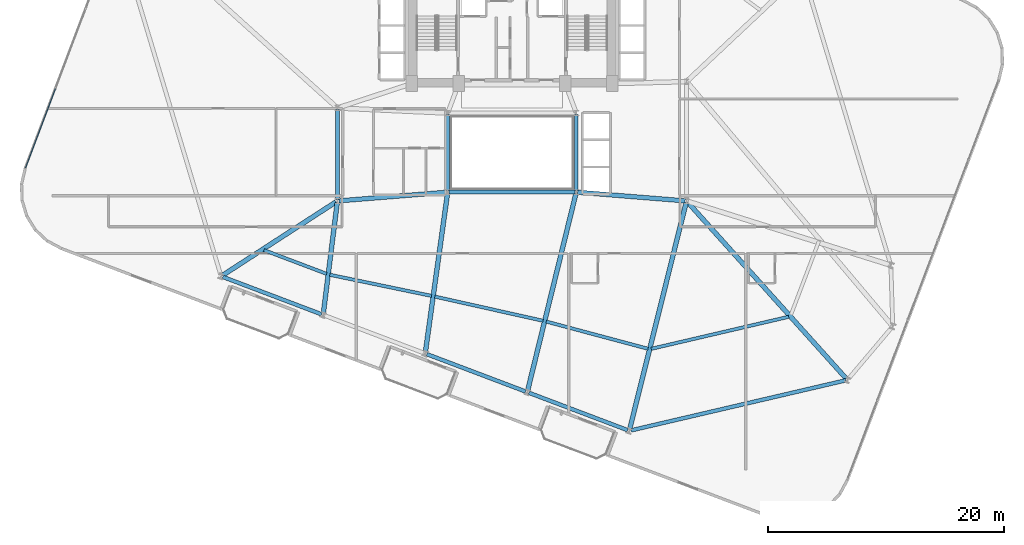
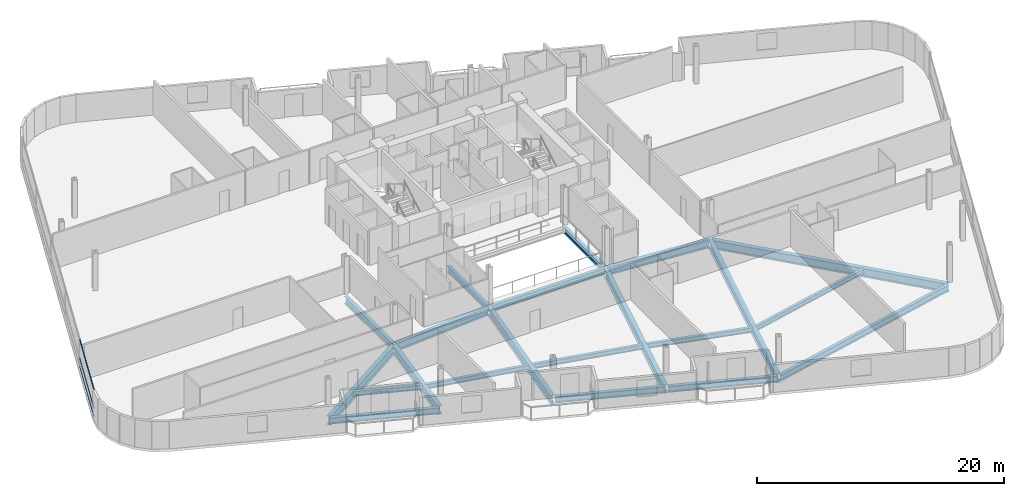
# One storey, part 3 of 24: 21 beams, 3 members, 1 element without a shape of its own.
"""IFC4 building model written with IfcOpenShell, lengths in metres."""

from ifc_helpers import new_model, si_unit, direction, frame, origin, origin_2d, place, context, subcontext, project, spatial, hollow_rectangle, i_section, extrude, material, layer, layer_set, material_profile, profile_set, type_object, element, aggregate, save


model = new_model("IFC4")

# Units and contexts
model_context = context("Model", 3, precision=1e-05, world=origin(), true_north=direction((0.0, 1.0)))
body_context = subcontext(model_context, "Body", "Model", "MODEL_VIEW")
ifc_project = project(units=[si_unit("LENGTHUNIT", "METRE"), si_unit("AREAUNIT", "SQUARE_METRE"), si_unit("VOLUMEUNIT", "CUBIC_METRE"), si_unit("PLANEANGLEUNIT", "RADIAN"), si_unit("MASSUNIT", "GRAM", prefix="KILO")], contexts=[model_context])

# Site, building, storey
site_placement = place(None, origin())
site = spatial("IfcSite", under=ifc_project, at=site_placement, CompositionType="ELEMENT")
building_placement = place(site_placement, origin())
building = spatial("IfcBuilding", under=site, at=building_placement, Name="Varnelok Gate Tower", CompositionType="ELEMENT")
storey_placement = place(building_placement, frame((0.0, 0.0, 94.699951171875)))
storey = spatial("IfcBuildingStorey", under=building, at=storey_placement, Name="L23", CompositionType="ELEMENT", Elevation=94.699951171875)

# Beams
ifc_material_1 = material(Name="Structural Steel ASTM A992 Grade 50", Category="steel")
ifc_material_profile_1 = material_profile(ifc_material_1, i_section(OverallWidth=0.280029296875, OverallDepth=0.462890625, WebThickness=0.0107421875, FlangeThickness=0.017333984375, FilletRadius=0.014892578125, at=origin_2d()), Name="W18X76")
ifc_profile_set_1 = profile_set([ifc_material_profile_1], Name="Structural Steel ASTM A992 Grade 50")
beam_type_1 = type_object("IfcBeamType", Name="BM-JST-W18X76", PredefinedType="JOIST", material=ifc_profile_set_1)
beam_1_placement = place(storey_placement, frame((18.171875, 14.6328125, -0.4814453125), z_axis=(0.935227094529, -0.35404841711, 0.0), x_axis=(0.35404841711, 0.935227094529, 0.0)))
element("IfcBeam", 1, at=beam_1_placement, inside=storey, type_object=beam_type_1, Name="L23 Sector Floor Joist 1", PredefinedType="JOIST", context=body_context, shape_type="SweptSolid", body=[
    extrude(i_section(OverallWidth=0.280029296875, OverallDepth=0.462890625, WebThickness=0.0107421875, FlangeThickness=0.017333984375, FilletRadius=0.014892578125, at=origin_2d()), origin(), (0.0, 0.0, 1.0), 5.686279296875),
])
beam_2_placement = place(storey_placement, frame((23.7578125, 12.54150390625, -0.4814453125), z_axis=(0.979150483165, -0.20313623832, 0.0), x_axis=(0.20313623832, 0.979150483165, 0.0)))
element("IfcBeam", 2, at=beam_2_placement, inside=storey, type_object=beam_type_1, Name="L23 Sector Floor Joist 2", PredefinedType="JOIST", context=body_context, shape_type="SweptSolid", body=[
    extrude(i_section(OverallWidth=0.280029296875, OverallDepth=0.462890625, WebThickness=0.0107421875, FlangeThickness=0.017333984375, FilletRadius=0.014892578125, at=origin_2d()), origin(), (0.0, 0.0, 1.0), 8.808349609375),
])
beam_3_placement = place(storey_placement, frame((32.656494140625, 10.693359375, -0.4814453125), z_axis=(0.975912576453, -0.218161965341, 0.0), x_axis=(0.218161965341, 0.975912576453, 0.0)))
element("IfcBeam", 3, at=beam_3_placement, inside=storey, type_object=beam_type_1, Name="L23 Sector Floor Joist 3", PredefinedType="JOIST", context=body_context, shape_type="SweptSolid", body=[
    extrude(i_section(OverallWidth=0.280029296875, OverallDepth=0.462890625, WebThickness=0.0107421875, FlangeThickness=0.017333984375, FilletRadius=0.014892578125, at=origin_2d()), origin(), (0.0, 0.0, 1.0), 9.402587890625),
])
beam_4_placement = place(storey_placement, frame((42.104248046875, 8.5751953125, -0.4814453125), z_axis=(0.96608369645, -0.258229145244, 0.0), x_axis=(0.258229145244, 0.96608369645, 0.0)))
element("IfcBeam", 4, at=beam_4_placement, inside=storey, type_object=beam_type_1, Name="L23 Sector Floor Joist 4", PredefinedType="JOIST", context=body_context, shape_type="SweptSolid", body=[
    extrude(i_section(OverallWidth=0.280029296875, OverallDepth=0.462890625, WebThickness=0.0107421875, FlangeThickness=0.017333984375, FilletRadius=0.014892578125, at=origin_2d()), origin(), (0.0, 0.0, 1.0), 8.931640625),
])
beam_5_placement = place(storey_placement, frame((51.00439453125, 6.264404296875, -0.4814453125), z_axis=(0.973872198903, 0.227096763966, 0.0), x_axis=(-0.227096763966, 0.973872198903, 0.0)))
element("IfcBeam", 5, at=beam_5_placement, inside=storey, type_object=beam_type_1, Name="L23 Sector Floor Joist 5", PredefinedType="JOIST", context=body_context, shape_type="SweptSolid", body=[
    extrude(i_section(OverallWidth=0.280029296875, OverallDepth=0.462890625, WebThickness=0.0107421875, FlangeThickness=0.017333984375, FilletRadius=0.014892578125, at=origin_2d()), origin(), (0.0, 0.0, 1.0), 11.967529296875),
])
ifc_material_profile_2 = material_profile(ifc_material_1, i_section(OverallWidth=0.35498046875, OverallDepth=0.696044921875, WebThickness=0.015380859375, FlangeThickness=0.02490234375, FilletRadius=0.02001953125, at=origin_2d()), Name="W27X146")
ifc_profile_set_2 = profile_set([ifc_material_profile_2], Name="Structural Steel ASTM A992 Grade 50")
beam_type_2 = type_object("IfcBeamType", Name="BM-PRI-W27X146", PredefinedType="BEAM", material=ifc_profile_set_2)
beam_6_placement = place(storey_placement, frame((24.39990234375, 18.919921875, -0.597900390625), z_axis=(0.0, 1.0, 0.0), x_axis=(-1.0, 0.0, 0.0)))
element("IfcBeam", 6, at=beam_6_placement, inside=storey, type_object=beam_type_2, Name="L23 Core-Atrium Spine Beam 16", PredefinedType="BEAM", context=body_context, shape_type="SweptSolid", body=[
    extrude(i_section(OverallWidth=0.35498046875, OverallDepth=0.696044921875, WebThickness=0.015380859375, FlangeThickness=0.02490234375, FilletRadius=0.02001953125, at=origin_2d()), origin(), (0.0, 0.0, 1.0), 7.64013671875),
])
ifc_material_profile_3 = material_profile(ifc_material_1, i_section(OverallWidth=0.381103515625, OverallDepth=0.77294921875, WebThickness=0.0166015625, FlangeThickness=0.027099609375, FilletRadius=0.02197265625, at=origin_2d()), Name="W30X173")
ifc_profile_set_3 = profile_set([ifc_material_profile_3], Name="Structural Steel ASTM A992 Grade 50")
beam_type_3 = type_object("IfcBeamType", Name="BM-PRI-W30X173", PredefinedType="BEAM", material=ifc_profile_set_3)
for number, where, z_axis, x_axis, name in (
    (7, (24.51953125, 18.8095703125, -0.636474609375), (0.996799206292, 0.07994587128, 0.0), (-0.07994587128, 0.996799206292, 0.0), "L23 Core-Atrium Spine Beam 14"),
    (8, (44.76953125, 19.540283203125, -0.636474609375), (0.996799206292, -0.07994587128, 0.0), (0.07994587128, 0.996799206292, 0.0), "L23 Core-Atrium Spine Beam 18"),
):
    element("IfcBeam", number, at=place(storey_placement, frame(where, z_axis=z_axis, x_axis=x_axis)), inside=storey, type_object=beam_type_3, Name=name, PredefinedType="BEAM", context=body_context, shape_type="SweptSolid", body=[
        extrude(i_section(OverallWidth=0.381103515625, OverallDepth=0.77294921875, WebThickness=0.0166015625, FlangeThickness=0.027099609375, FilletRadius=0.02197265625, at=origin_2d()), origin(), (0.0, 0.0, 1.0), 9.14013671875),
    ])
ifc_material_profile_4 = material_profile(ifc_material_1, i_section(OverallWidth=0.39892578125, OverallDepth=0.85498046875, WebThickness=0.018310546875, FlangeThickness=0.029296875, FilletRadius=0.02392578125, at=origin_2d()), Name="W33X201")
ifc_profile_set_4 = profile_set([ifc_material_profile_4], Name="Structural Steel ASTM A992 Grade 50")
beam_type_4 = type_object("IfcBeamType", Name="BM-PRI-W33X201", PredefinedType="BEAM", material=ifc_profile_set_4)
beam_7_placement = place(storey_placement, frame((24.274169921875, 18.718505859375, -0.677490234375), z_axis=(-0.839398998687, -0.543515704468, 0.0), x_axis=(0.543515704468, -0.839398998687, 0.0)))
element("IfcBeam", 9, at=beam_7_placement, inside=storey, type_object=beam_type_4, Name="L23 Radial Floor Girder 1", PredefinedType="BEAM", context=body_context, shape_type="SweptSolid", body=[
    extrude(i_section(OverallWidth=0.39892578125, OverallDepth=0.85498046875, WebThickness=0.018310546875, FlangeThickness=0.029296875, FilletRadius=0.02392578125, at=origin_2d()), origin(), (0.0, 0.0, 1.0), 11.4453125),
])
beam_8_placement = place(storey_placement, frame((24.38134765625, 18.651123046875, -0.677490234375), z_axis=(-0.124114361033, -0.992267920163, 0.0), x_axis=(0.992267920163, -0.124114361033, 0.0)))
element("IfcBeam", 10, at=beam_8_placement, inside=storey, type_object=beam_type_4, Name="L23 Radial Floor Girder 2", PredefinedType="BEAM", context=body_context, shape_type="SweptSolid", body=[
    extrude(i_section(OverallWidth=0.39892578125, OverallDepth=0.85498046875, WebThickness=0.018310546875, FlangeThickness=0.029296875, FilletRadius=0.02392578125, at=origin_2d()), origin(), (0.0, 0.0, 1.0), 9.43408203125),
])
beam_9_placement = place(storey_placement, frame((33.729248046875, 19.4013671875, -0.677490234375), z_axis=(-0.138054699139, -0.990424605937, 0.0), x_axis=(0.990424605937, -0.138054699139, 0.0)))
element("IfcBeam", 11, at=beam_9_placement, inside=storey, type_object=beam_type_4, Name="L23 Radial Floor Girder 3", PredefinedType="BEAM", context=body_context, shape_type="SweptSolid", body=[
    extrude(i_section(OverallWidth=0.39892578125, OverallDepth=0.85498046875, WebThickness=0.018310546875, FlangeThickness=0.029296875, FilletRadius=0.02392578125, at=origin_2d()), origin(), (0.0, 0.0, 1.0), 13.51611328125),
])
beam_10_placement = place(storey_placement, frame((44.6142578125, 19.404296875, -0.677490234375), z_axis=(-0.238054163128, -0.971251880522, 0.0), x_axis=(0.971251880522, -0.238054163128, 0.0)))
element("IfcBeam", 12, at=beam_10_placement, inside=storey, type_object=beam_type_4, Name="L23 Radial Floor Girder 4", PredefinedType="BEAM", context=body_context, shape_type="SweptSolid", body=[
    extrude(i_section(OverallWidth=0.39892578125, OverallDepth=0.85498046875, WebThickness=0.018310546875, FlangeThickness=0.029296875, FilletRadius=0.02392578125, at=origin_2d()), origin(), (0.0, 0.0, 1.0), 17.160888671875),
])
beam_11_placement = place(storey_placement, frame((53.963623046875, 18.654541015625, -0.677490234375), z_axis=(-0.241818229902, -0.970321567156, 0.0), x_axis=(0.970321567156, -0.241818229902, 0.0)))
element("IfcBeam", 13, at=beam_11_placement, inside=storey, type_object=beam_type_4, Name="L23 Radial Floor Girder 5", PredefinedType="BEAM", context=body_context, shape_type="SweptSolid", body=[
    extrude(i_section(OverallWidth=0.39892578125, OverallDepth=0.85498046875, WebThickness=0.018310546875, FlangeThickness=0.029296875, FilletRadius=0.02392578125, at=origin_2d()), origin(), (0.0, 0.0, 1.0), 19.7802734375),
])
beam_12_placement = place(storey_placement, frame((54.100341796875, 18.6884765625, -0.677490234375), z_axis=(0.668462619128, -0.743745740713, 0.0), x_axis=(0.743745740713, 0.668462619128, 0.0)))
element("IfcBeam", 14, at=beam_12_placement, inside=storey, type_object=beam_type_4, Name="L23 Radial Floor Girder 6", PredefinedType="BEAM", context=body_context, shape_type="SweptSolid", body=[
    extrude(i_section(OverallWidth=0.39892578125, OverallDepth=0.85498046875, WebThickness=0.018310546875, FlangeThickness=0.029296875, FilletRadius=0.02392578125, at=origin_2d()), origin(), (0.0, 0.0, 1.0), 20.099853515625),
])
ifc_material_profile_5 = material_profile(ifc_material_1, i_section(OverallWidth=0.323974609375, OverallDepth=0.611083984375, WebThickness=0.0126953125, FlangeThickness=0.01904296875, FilletRadius=0.01806640625, at=origin_2d()), Name="W24X104")
ifc_profile_set_5 = profile_set([ifc_material_profile_5], Name="Structural Steel ASTM A992 Grade 50")
beam_type_5 = type_object("IfcBeamType", Name="BM-SPN-W24X104", PredefinedType="SPANDREL", material=ifc_profile_set_5)
beam_13_placement = place(storey_placement, frame((33.8701171875, 19.550048828125, -0.555419921875), z_axis=(1.0, 0.0, 0.0), x_axis=(0.0, 1.0, 0.0)))
element("IfcBeam", 15, at=beam_13_placement, inside=storey, type_object=beam_type_5, Name="L23 Core-Atrium Spine Beam 8", PredefinedType="SPANDREL", context=body_context, shape_type="SweptSolid", body=[
    extrude(i_section(OverallWidth=0.323974609375, OverallDepth=0.611083984375, WebThickness=0.0126953125, FlangeThickness=0.01904296875, FilletRadius=0.01806640625, at=origin_2d()), origin(), (0.0, 0.0, 1.0), 10.659912109375),
])
for number, where, z_axis, x_axis, name in (
    (16, (33.75, 19.669921875, -0.555419921875), (0.0, 1.0, 0.0), (-1.0, 0.0, 0.0), "L23 Core-Atrium Spine Beam 10"),
    (17, (44.64990234375, 19.669921875, -0.555419921875), (0.0, 1.0, 0.0), (-1.0, 0.0, 0.0), "L23 Core-Atrium Spine Beam 11"),
):
    element("IfcBeam", number, at=place(storey_placement, frame(where, z_axis=z_axis, x_axis=x_axis)), inside=storey, type_object=beam_type_5, Name=name, PredefinedType="SPANDREL", context=body_context, shape_type="SweptSolid", body=[
        extrude(i_section(OverallWidth=0.323974609375, OverallDepth=0.611083984375, WebThickness=0.0126953125, FlangeThickness=0.01904296875, FilletRadius=0.01806640625, at=origin_2d()), origin(), (0.0, 0.0, 1.0), 6.4599609375),
    ])
for number, where, z_axis, x_axis, name in (
    (18, (14.681396484375, 12.363037109375, -0.555419921875), (0.935225969099, -0.354051389947, 0.0), (0.354051389947, 0.935225969099, 0.0), "L23 Perimeter Spandrel Beam 1"),
    (19, (31.98291015625, 5.81298828125, -0.555419921875), (0.935216936382, -0.354075248928, 0.0), (0.354075248928, 0.935216936382, 0.0), "L23 Perimeter Spandrel Beam 3"),
    (20, (40.6337890625, 2.537841796875, -0.555419921875), (0.935216936382, -0.354075248928, 0.0), (0.354075248928, 0.935216936382, 0.0), "L23 Perimeter Spandrel Beam 4"),
):
    element("IfcBeam", number, at=place(storey_placement, frame(where, z_axis=z_axis, x_axis=x_axis)), inside=storey, type_object=beam_type_5, Name=name, PredefinedType="SPANDREL", context=body_context, shape_type="SweptSolid", body=[
        extrude(i_section(OverallWidth=0.323974609375, OverallDepth=0.611083984375, WebThickness=0.0126953125, FlangeThickness=0.01904296875, FilletRadius=0.01806640625, at=origin_2d()), origin(), (0.0, 0.0, 1.0), 8.949951171875),
    ])
beam_14_placement = place(storey_placement, frame((49.290283203125, -0.64990234375, -0.555419921875), z_axis=(0.973880317885, 0.227061944052, 0.0), x_axis=(-0.227061944052, 0.973880317885, 0.0)))
element("IfcBeam", 21, at=beam_14_placement, inside=storey, type_object=beam_type_5, Name="L23 Perimeter Spandrel Beam 5", PredefinedType="SPANDREL", context=body_context, shape_type="SweptSolid", body=[
    extrude(i_section(OverallWidth=0.323974609375, OverallDepth=0.611083984375, WebThickness=0.0126953125, FlangeThickness=0.01904296875, FilletRadius=0.01806640625, at=origin_2d()), origin(), (0.0, 0.0, 1.0), 18.688232421875),
])

# Curtain wall, members
ifc_material_2 = material(Name="Anodized Aluminum Alloy 6063-T6", Category="aluminium")
ifc_layer = layer(ifc_material_2, 0.179931640625)
ifc_layer_set = layer_set([ifc_layer], Name="Anodized Aluminum Alloy 6063-T6")
curtain_wall_type = type_object("IfcCurtainWallType", Name="CW3-HOTEL-VISION", PredefinedType="USERDEFINED", material=ifc_layer_set)
curtain_wall_placement = place(storey_placement, origin())
curtain_wall = element("IfcCurtainWall", 22, at=curtain_wall_placement, inside=storey, type_object=curtain_wall_type, Name="L23 West End Vision Curtain Wall", ObjectType="UNITISED CURTAIN WALL", PredefinedType="USERDEFINED")
ifc_material_profile_6 = material_profile(ifc_material_2, hollow_rectangle(XDim=0.06494140625, YDim=0.159912109375, WallThickness=0.00390625, at=origin_2d()), Name="ALU160X65X4")
ifc_profile_set_6 = profile_set([ifc_material_profile_6], Name="Anodized Aluminum Alloy 6063-T6")
member_type = type_object("IfcMemberType", Name="CW-TRAN-160", PredefinedType="USERDEFINED", material=ifc_profile_set_6)
member_1_placement = place(storey_placement, frame((-2.031982421875, 21.625732421875, 0.032470703125), z_axis=(0.35408846525, 0.935211932546, 0.0), x_axis=(-0.935211932546, 0.35408846525, 0.0)))
member_1 = element("IfcMember", 23, at=member_1_placement, type_object=member_type, Name="CW3 transom 1.1", ObjectType="TRANSOM", PredefinedType="USERDEFINED", context=body_context, shape_type="SweptSolid", body=[
    extrude(hollow_rectangle(XDim=0.06494140625, YDim=0.159912109375, WallThickness=0.00390625, at=origin_2d()), origin(), (0.0, 0.0, 1.0), 7.142333984375),
])
member_2_placement = place(storey_placement, frame((-2.031982421875, 21.625732421875, 0.900146484375), z_axis=(0.35408846525, 0.935211932546, 0.0), x_axis=(-0.935211932546, 0.35408846525, 0.0)))
member_2 = element("IfcMember", 24, at=member_2_placement, type_object=member_type, Name="CW3 transom 1.2", ObjectType="TRANSOM", PredefinedType="USERDEFINED", context=body_context, shape_type="SweptSolid", body=[
    extrude(hollow_rectangle(XDim=0.06494140625, YDim=0.159912109375, WallThickness=0.00390625, at=origin_2d()), origin(), (0.0, 0.0, 1.0), 7.142333984375),
])
member_3_placement = place(storey_placement, frame((-2.031982421875, 21.625732421875, 2.697509765625), z_axis=(0.35408846525, 0.935211932546, 0.0), x_axis=(-0.935211932546, 0.35408846525, 0.0)))
member_3 = element("IfcMember", 25, at=member_3_placement, type_object=member_type, Name="CW3 transom 1.3", ObjectType="TRANSOM", PredefinedType="USERDEFINED", context=body_context, shape_type="SweptSolid", body=[
    extrude(hollow_rectangle(XDim=0.06494140625, YDim=0.159912109375, WallThickness=0.00390625, at=origin_2d()), origin(), (0.0, 0.0, 1.0), 7.142333984375),
])
aggregate(curtain_wall, [member_1, member_2, member_3])

save(model, "model.ifc")
